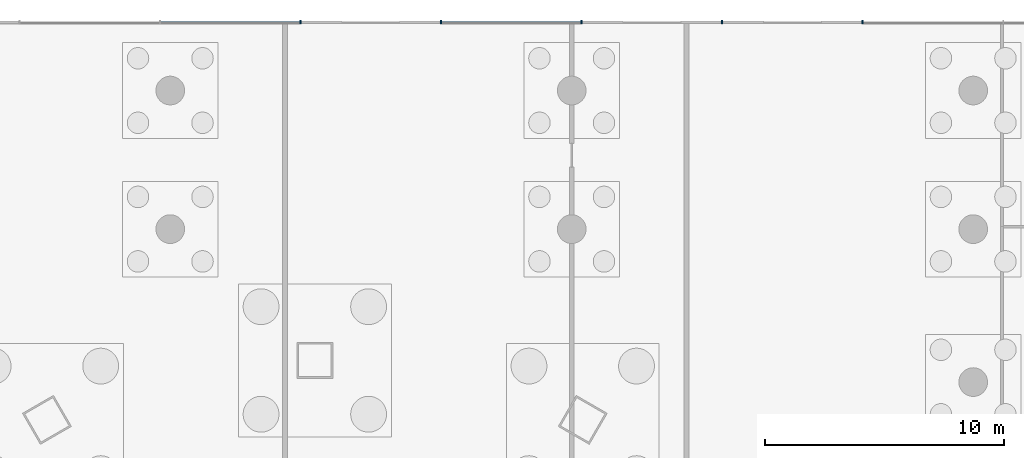
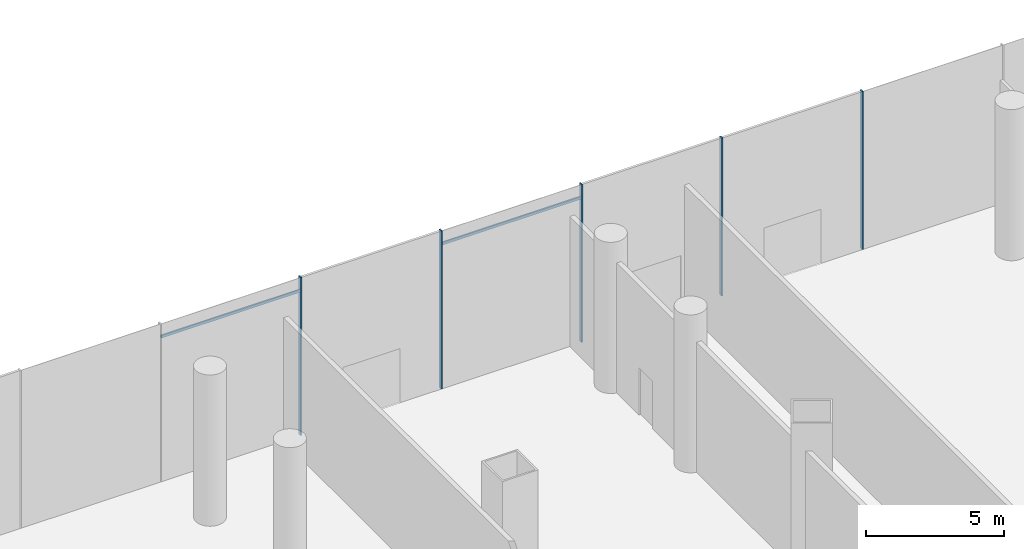
# One storey, part 16 of 41: 7 members, 1 element without a shape of its own.
"""IFC4 building model written with IfcOpenShell, lengths in metres."""

from ifc_helpers import new_model, si_unit, direction, frame, origin, origin_2d, place, context, subcontext, project, spatial, rectangle, extrude, material, material_profile, profile_set, type_object, element, aggregate, save


model = new_model("IFC4")

# Units and contexts
model_context = context("Model", 3, precision=1e-05, world=origin(), true_north=direction((0.0, 1.0)))
body_context = subcontext(model_context, "Body", "Model", "MODEL_VIEW")
ifc_project = project(units=[si_unit("LENGTHUNIT", "METRE"), si_unit("AREAUNIT", "SQUARE_METRE"), si_unit("VOLUMEUNIT", "CUBIC_METRE"), si_unit("PLANEANGLEUNIT", "RADIAN"), si_unit("MASSUNIT", "GRAM", prefix="KILO")], contexts=[model_context])

# Site, building, storey
site_placement = place(None, origin())
site = spatial("IfcSite", under=ifc_project, at=site_placement, CompositionType="ELEMENT")
building_placement = place(site_placement, origin())
building = spatial("IfcBuilding", under=site, at=building_placement, Name="Rimbun Link Towers", CompositionType="ELEMENT")
storey_placement = place(building_placement, origin())
storey = spatial("IfcBuildingStorey", under=building, at=storey_placement, Name="L00", CompositionType="ELEMENT", Elevation=0.0)

# Curtain wall, members
ifc_material_1 = material(Name="Aluminium 6063-T6 and low-iron glass", Category="aluminium")
curtain_wall_type = type_object("IfcCurtainWallType", Name="CW3 podium shopfront", PredefinedType="NOTDEFINED", material=ifc_material_1)
curtain_wall_placement = place(storey_placement, origin())
curtain_wall = element("IfcCurtainWall", 1, at=curtain_wall_placement, inside=storey, type_object=curtain_wall_type, Name="CW3 L00 PD", PredefinedType="NOTDEFINED")
ifc_material_2 = material(Name="Aluminium 6063-T6", Category="aluminium")
ifc_material_profile_1 = material_profile(ifc_material_2, rectangle(XDim=0.14990234375, YDim=0.06005859375, at=origin_2d()), Name="MULLION 60X150")
ifc_profile_set_1 = profile_set([ifc_material_profile_1], Name="Aluminium 6063-T6")
member_type_1 = type_object("IfcMemberType", Name="CW3 mullion 60X150", PredefinedType="MULLION", material=ifc_profile_set_1)
member_1_placement = place(storey_placement, frame((-8.823486328125, 36.074951171875, 0.0), z_axis=(0.0, 0.0, 1.0), x_axis=(0.0, 1.0, 0.0)))
member_1 = element("IfcMember", 2, at=member_1_placement, type_object=member_type_1, Name="CW3 mullion", PredefinedType="MULLION", context=body_context, shape_type="SweptSolid", body=[
    extrude(rectangle(XDim=0.14990234375, YDim=0.06005859375, at=origin_2d()), origin(), (0.0, 0.0, 1.0), 7.0),
])
member_2_placement = place(storey_placement, frame((-14.705810546875, 36.074951171875, 0.0), z_axis=(0.0, 0.0, 1.0), x_axis=(0.0, 1.0, 0.0)))
member_2 = element("IfcMember", 3, at=member_2_placement, type_object=member_type_1, Name="CW3 mullion", PredefinedType="MULLION", context=body_context, shape_type="SweptSolid", body=[
    extrude(rectangle(XDim=0.14990234375, YDim=0.06005859375, at=origin_2d()), origin(), (0.0, 0.0, 1.0), 7.0),
])
member_3_placement = place(storey_placement, frame((-20.588134765625, 36.074951171875, 0.0), z_axis=(0.0, 0.0, 1.0), x_axis=(0.0, 1.0, 0.0)))
member_3 = element("IfcMember", 4, at=member_3_placement, type_object=member_type_1, Name="CW3 mullion", PredefinedType="MULLION", context=body_context, shape_type="SweptSolid", body=[
    extrude(rectangle(XDim=0.14990234375, YDim=0.06005859375, at=origin_2d()), origin(), (0.0, 0.0, 1.0), 7.0),
])
member_4_placement = place(storey_placement, frame((-26.470703125, 36.074951171875, 0.0), z_axis=(0.0, 0.0, 1.0), x_axis=(0.0, 1.0, 0.0)))
member_4 = element("IfcMember", 5, at=member_4_placement, type_object=member_type_1, Name="CW3 mullion", PredefinedType="MULLION", context=body_context, shape_type="SweptSolid", body=[
    extrude(rectangle(XDim=0.14990234375, YDim=0.06005859375, at=origin_2d()), origin(), (0.0, 0.0, 1.0), 7.0),
])
member_5_placement = place(storey_placement, frame((-32.35302734375, 36.074951171875, 0.0), z_axis=(0.0, 0.0, 1.0), x_axis=(0.0, 1.0, 0.0)))
member_5 = element("IfcMember", 6, at=member_5_placement, type_object=member_type_1, Name="CW3 mullion", PredefinedType="MULLION", context=body_context, shape_type="SweptSolid", body=[
    extrude(rectangle(XDim=0.14990234375, YDim=0.06005859375, at=origin_2d()), origin(), (0.0, 0.0, 1.0), 7.0),
])
ifc_material_3 = material(Name="Aluminium 6063-T6", Category="aluminium")
ifc_material_profile_2 = material_profile(ifc_material_3, rectangle(XDim=0.06005859375, YDim=0.1201171875, at=origin_2d()), Name="TRANSOM 60X120")
ifc_profile_set_2 = profile_set([ifc_material_profile_2], Name="Aluminium 6063-T6")
member_type_2 = type_object("IfcMemberType", Name="CW3 transom 60X120", PredefinedType="USERDEFINED", material=ifc_profile_set_2)
member_6_placement = place(storey_placement, frame((-26.440673828125, 36.053955078125, 6.39990234375), z_axis=(1.0, 0.0, 0.0), x_axis=(0.0, 1.0, 0.0)))
member_6 = element("IfcMember", 7, at=member_6_placement, type_object=member_type_2, Name="CW3 transom", ObjectType="TRANSOM", PredefinedType="USERDEFINED", context=body_context, shape_type="SweptSolid", body=[
    extrude(rectangle(XDim=0.06005859375, YDim=0.1201171875, at=origin_2d()), origin(), (0.0, 0.0, 1.0), 5.822509765625),
])
member_7_placement = place(storey_placement, frame((-38.205322265625, 36.053955078125, 6.39990234375), z_axis=(1.0, 0.0, 0.0), x_axis=(0.0, 1.0, 0.0)))
member_7 = element("IfcMember", 8, at=member_7_placement, type_object=member_type_2, Name="CW3 transom", ObjectType="TRANSOM", PredefinedType="USERDEFINED", context=body_context, shape_type="SweptSolid", body=[
    extrude(rectangle(XDim=0.06005859375, YDim=0.1201171875, at=origin_2d()), origin(), (0.0, 0.0, 1.0), 5.822265625),
])
aggregate(curtain_wall, [member_1, member_2, member_3, member_4, member_5, member_6, member_7])

save(model, "model.ifc")
